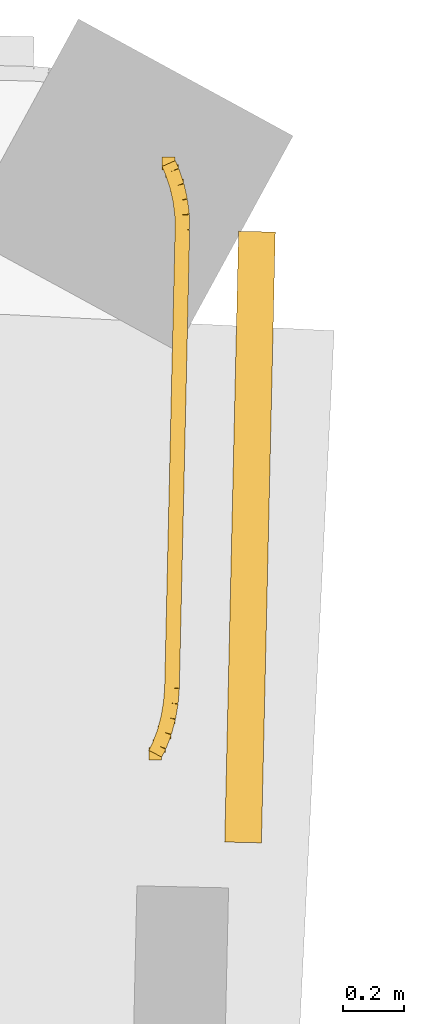
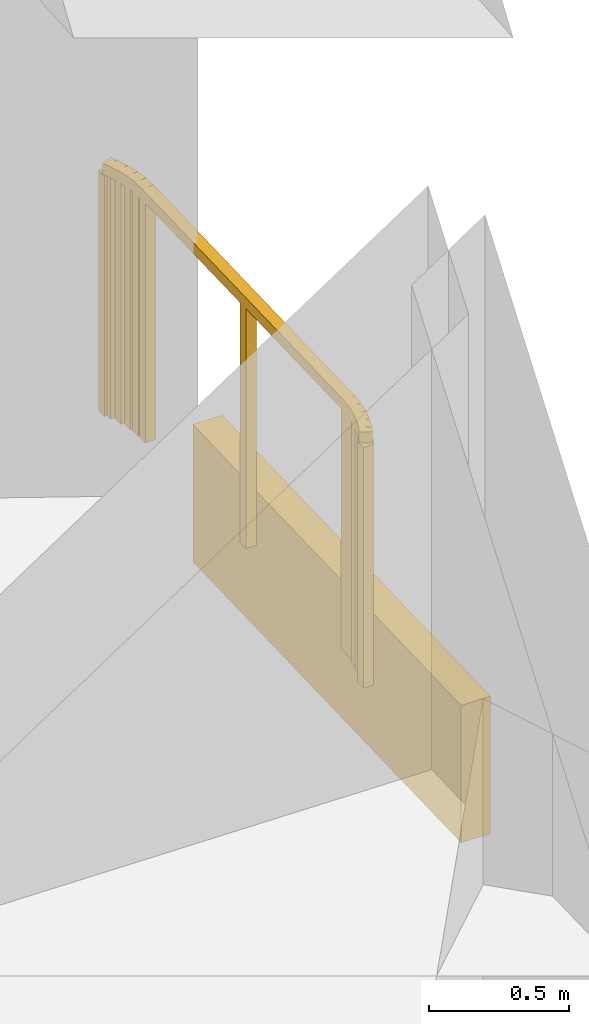
# One storey, part 19 of 19: 1 covering, 1 railing.
"""IFC4 building model written with IfcOpenShell, lengths in metres."""

from ifc_helpers import new_model, si_unit, direction, frame, frame_2d, origin, origin_2d, place, context, subcontext, project, spatial, rectangle, extrude, material, layer, layer_set, type_object, element, save


model = new_model("IFC4")

# Units and contexts
model_context = context("Model", 3, precision=1e-05, world=origin(), true_north=direction((0.0, 1.0)))
body_context = subcontext(model_context, "Body", "Model", "MODEL_VIEW")
ifc_project = project(units=[si_unit("LENGTHUNIT", "METRE"), si_unit("AREAUNIT", "SQUARE_METRE"), si_unit("VOLUMEUNIT", "CUBIC_METRE"), si_unit("PLANEANGLEUNIT", "RADIAN"), si_unit("MASSUNIT", "GRAM", prefix="KILO")], contexts=[model_context])

# Site, building, storey
site_placement = place(None, origin())
site = spatial("IfcSite", under=ifc_project, at=site_placement, CompositionType="ELEMENT")
building_placement = place(site_placement, origin())
building = spatial("IfcBuilding", under=site, at=building_placement, Name="Mangrove Gate Tower", CompositionType="ELEMENT")
storey_placement = place(building_placement, frame((0.0, 0.0, 346.10009765625)))
storey = spatial("IfcBuildingStorey", under=building, at=storey_placement, Name="L88", CompositionType="ELEMENT", Elevation=346.10009765625)

# Railing
ifc_material_1 = material(Name="Stainless steel grade 316 with laminated glass infill", Category="steel")
railing_type = type_object("IfcRailingType", Name="Balcony guard 1100", PredefinedType="GUARDRAIL", material=ifc_material_1)
railing_placement = place(storey_placement, frame((23.490966796875, 20.802001953125, 0.0)))
element("IfcRailing", 1, at=railing_placement, inside=storey, type_object=railing_type, Name="GUARD L88 T3.4", PredefinedType="GUARDRAIL", context=body_context, shape_type="SweptSolid", body=[
    extrude(rectangle(XDim=0.048095703125, YDim=0.048095703125, at=origin_2d()), frame((0.0, 0.0, 1.076171875), z_axis=(0.403640206576, -0.914917801573, 0.0), x_axis=(0.914917801573, 0.403640206576, 0.0)), (0.0, 0.0, 1.0), 0.027099609375),
    extrude(rectangle(XDim=0.048095703125, YDim=0.048095703125, at=origin_2d()), frame((0.010986328125, -0.02490234375, 1.076171875), z_axis=(0.323572178119, -0.94620349056, 0.0), x_axis=(0.94620349056, 0.323572178119, 0.0)), (0.0, 0.0, 1.0), 0.0498046875),
    extrude(rectangle(XDim=0.048095703125, YDim=0.048095703125, at=origin_2d()), frame((0.027099609375, -0.072021484375, 1.076171875), z_axis=(0.222690428814, -0.974889210585, 0.0), x_axis=(0.974889210585, 0.222690428814, 0.0)), (0.0, 0.0, 1.0), 0.04931640625),
    extrude(rectangle(XDim=0.048095703125, YDim=0.048095703125, at=origin_2d()), frame((0.0380859375, -0.1201171875, 1.076171875), z_axis=(0.121541190452, -0.992586388695, 0.0), x_axis=(0.992586388695, 0.121541190452, 0.0)), (0.0, 0.0, 1.0), 0.048095703125),
    extrude(rectangle(XDim=0.048095703125, YDim=0.048095703125, at=origin_2d()), frame((0.0439453125, -0.16796875, 1.076171875), z_axis=(0.019896558087, -0.999802043895, 0.0), x_axis=(0.999802043895, 0.019896558087, 0.0)), (0.0, 0.0, 1.0), 0.049072265625),
    extrude(rectangle(XDim=0.048095703125, YDim=0.048095703125, at=origin_2d()), frame((0.044921875, -0.217041015625, 1.076171875), z_axis=(-0.022617910375, -0.999744182344, 0.0), x_axis=(0.999744182344, -0.022617910375, 0.0)), (0.0, 0.0, 1.0), 1.50048828125),
    extrude(rectangle(XDim=0.048095703125, YDim=0.048095703125, at=origin_2d()), frame((0.010986328125, -1.717041015625, 1.076171875), z_axis=(-0.079350984209, -0.996846739125, 0.0), x_axis=(0.996846739125, -0.079350984209, 0.0)), (0.0, 0.0, 1.0), 0.04931640625),
    extrude(rectangle(XDim=0.048095703125, YDim=0.048095703125, at=origin_2d()), frame((0.007080078125, -1.76611328125, 1.076171875), z_axis=(-0.166030511863, -0.986120615914, 0.0), x_axis=(0.986120615914, -0.166030511863, 0.0)), (0.0, 0.0, 1.0), 0.048583984375),
    extrude(rectangle(XDim=0.048095703125, YDim=0.048095703125, at=origin_2d()), frame((-0.0009765625, -1.81396484375, 1.076171875), z_axis=(-0.259797678908, -0.965663070659, 0.0), x_axis=(0.965663070659, -0.259797678908, 0.0)), (0.0, 0.0, 1.0), 0.0498046875),
    extrude(rectangle(XDim=0.048095703125, YDim=0.048095703125, at=origin_2d()), frame((-0.013916015625, -1.862060546875, 1.076171875), z_axis=(-0.355572828447, -0.934648577632, 0.0), x_axis=(0.934648577632, -0.355572828447, 0.0)), (0.0, 0.0, 1.0), 0.048095703125),
    extrude(rectangle(XDim=0.048095703125, YDim=0.048095703125, at=origin_2d()), frame((-0.031005859375, -1.906982421875, 1.076171875), z_axis=(-0.461078797779, -0.887359195726, 0.0), x_axis=(0.887359195726, -0.461078797779, 0.0)), (0.0, 0.0, 1.0), 0.028076171875),
    extrude(rectangle(XDim=0.0419921875, YDim=0.0419921875, at=origin_2d()), origin(), (0.0, 0.0, 1.0), 1.052001953125),
    extrude(rectangle(XDim=0.0419921875, YDim=0.0419921875, at=origin_2d()), frame((0.010986328125, -0.02490234375, 0.0)), (0.0, 0.0, 1.0), 1.052001953125),
    extrude(rectangle(XDim=0.0419921875, YDim=0.0419921875, at=origin_2d()), frame((0.027099609375, -0.072021484375, 0.0)), (0.0, 0.0, 1.0), 1.052001953125),
    extrude(rectangle(XDim=0.0419921875, YDim=0.0419921875, at=origin_2d()), frame((0.0380859375, -0.1201171875, 0.0)), (0.0, 0.0, 1.0), 1.052001953125),
    extrude(rectangle(XDim=0.0419921875, YDim=0.0419921875, at=origin_2d()), frame((0.0439453125, -0.16796875, 0.0)), (0.0, 0.0, 1.0), 1.052001953125),
    extrude(rectangle(XDim=0.0419921875, YDim=0.0419921875, at=origin_2d()), frame((0.044921875, -0.217041015625, 0.0)), (0.0, 0.0, 1.0), 1.052001953125),
    extrude(rectangle(XDim=0.0419921875, YDim=0.0419921875, at=origin_2d()), frame((0.02783203125, -0.967041015625, 0.0)), (0.0, 0.0, 1.0), 1.052001953125),
    extrude(rectangle(XDim=0.0419921875, YDim=0.0419921875, at=origin_2d()), frame((0.010986328125, -1.717041015625, 0.0)), (0.0, 0.0, 1.0), 1.052001953125),
    extrude(rectangle(XDim=0.0419921875, YDim=0.0419921875, at=origin_2d()), frame((0.007080078125, -1.76611328125, 0.0)), (0.0, 0.0, 1.0), 1.052001953125),
    extrude(rectangle(XDim=0.0419921875, YDim=0.0419921875, at=origin_2d()), frame((-0.0009765625, -1.81396484375, 0.0)), (0.0, 0.0, 1.0), 1.052001953125),
    extrude(rectangle(XDim=0.0419921875, YDim=0.0419921875, at=origin_2d()), frame((-0.013916015625, -1.862060546875, 0.0)), (0.0, 0.0, 1.0), 1.052001953125),
    extrude(rectangle(XDim=0.0419921875, YDim=0.0419921875, at=origin_2d()), frame((-0.031005859375, -1.906982421875, 0.0)), (0.0, 0.0, 1.0), 1.052001953125),
    extrude(rectangle(XDim=0.0419921875, YDim=0.0419921875, at=origin_2d()), frame((-0.0439453125, -1.931884765625, 0.0)), (0.0, 0.0, 1.0), 1.052001953125),
])

# Covering
ifc_material_2 = material(Name="Limestone", Category="masonry")
ifc_layer_1 = layer(ifc_material_2, 0.0400390625, Name="Limestone cladding")
ifc_material_3 = material(Name="Stainless steel anchors and cavity", Category="steel")
ifc_layer_2 = layer(ifc_material_3, 0.080078125, Name="Fixing cavity")
ifc_layer_set = layer_set([ifc_layer_1, ifc_layer_2], Name="Joint fascia cladding 120")
covering_type = type_object("IfcCoveringType", Name="Joint fascia cladding 120", PredefinedType="CLADDING", material=ifc_layer_set)
covering_placement = place(storey_placement, frame((23.780029296875, 20.5791015625, -0.60009765625), z_axis=(0.0, 0.0, 1.0), x_axis=(-0.022704768219, -0.999742213523, 0.0)))
element("IfcCovering", 2, at=covering_placement, inside=storey, type_object=covering_type, Name="STONE FASCIA L88 Tcrown13-4.1", PredefinedType="CLADDING", context=body_context, shape_type="SweptSolid", body=[
    extrude(rectangle(XDim=2.0, YDim=0.1201171875, at=frame_2d((1.0, 0.0))), origin(), (0.0, 0.0, 1.0), 0.60009765625),
])

save(model, "model.ifc")
